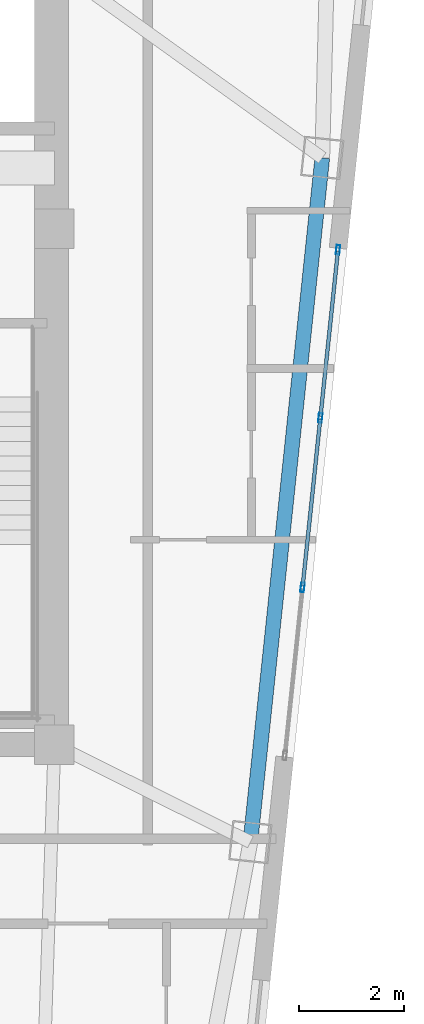
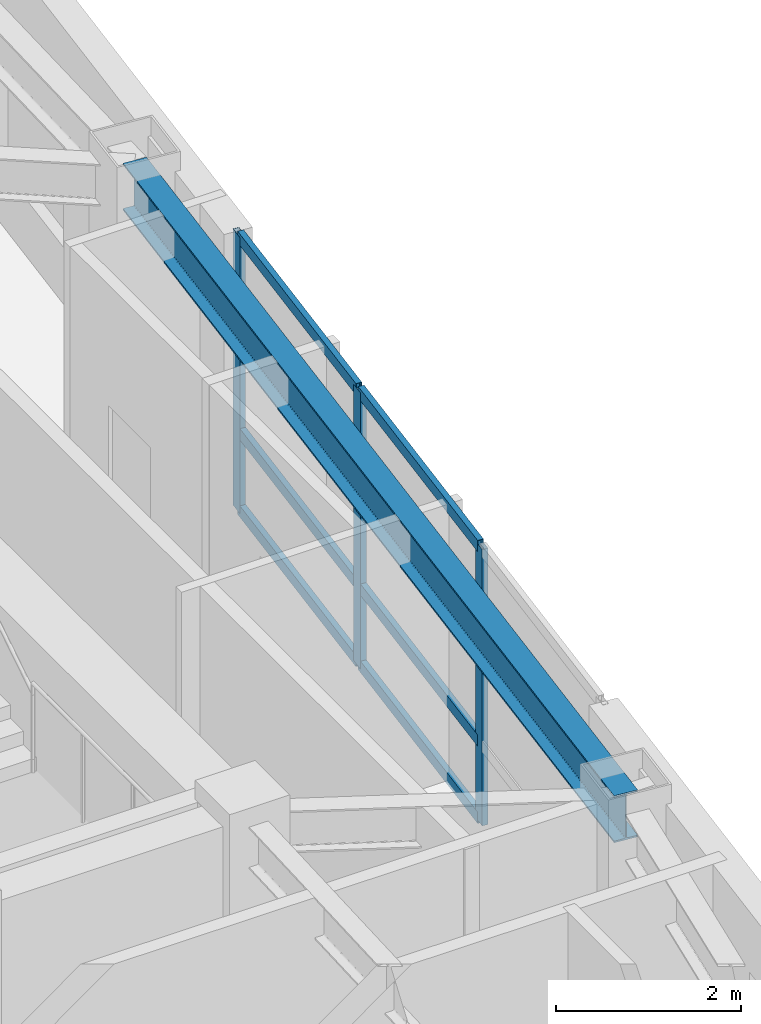
# One storey, part 10 of 23: 9 members, 1 beam, 1 element without a shape of its own.
"""IFC4 building model written with IfcOpenShell, lengths in metres."""

from ifc_helpers import new_model, si_unit, direction, frame, origin, origin_2d, place, context, subcontext, project, spatial, hollow_rectangle, i_section, extrude, material, layer, layer_set, material_profile, profile_set, type_object, element, aggregate, save


model = new_model("IFC4")

# Units and contexts
model_context = context("Model", 3, precision=1e-05, world=origin(), true_north=direction((0.0, 1.0)))
body_context = subcontext(model_context, "Body", "Model", "MODEL_VIEW")
ifc_project = project(units=[si_unit("LENGTHUNIT", "METRE"), si_unit("AREAUNIT", "SQUARE_METRE"), si_unit("VOLUMEUNIT", "CUBIC_METRE"), si_unit("PLANEANGLEUNIT", "RADIAN"), si_unit("MASSUNIT", "GRAM", prefix="KILO")], contexts=[model_context])

# Site, building, storey
site_placement = place(None, origin())
site = spatial("IfcSite", under=ifc_project, at=site_placement, CompositionType="ELEMENT")
building_placement = place(site_placement, origin())
building = spatial("IfcBuilding", under=site, at=building_placement, Name="Voryun Gate Residences", CompositionType="ELEMENT")
storey_placement = place(building_placement, frame((0.0, 0.0, 275.60009765625)))
storey = spatial("IfcBuildingStorey", under=building, at=storey_placement, Name="L68", CompositionType="ELEMENT", Elevation=275.60009765625)

# Beam
ifc_material_1 = material(Name="Steel SM355", Category="steel")
ifc_material_profile_1 = material_profile(ifc_material_1, i_section(OverallWidth=0.280029296875, OverallDepth=0.6201171875, WebThickness=0.013916015625, FlangeThickness=0.02197265625, FilletRadius=0.01806640625, at=origin_2d()), Name="H-620x280x14x22")
ifc_profile_set_1 = profile_set([ifc_material_profile_1], Name="Steel SM355")
beam_type = type_object("IfcBeamType", Name="BM_EXO_SPANDREL_H", PredefinedType="SPANDREL", material=ifc_profile_set_1)
beam_placement = place(storey_placement, frame((22.922607421875, -9.25244140625, 3.33984375), z_axis=(0.104528209082, 0.994521922084, 0.0), x_axis=(-0.994521922084, 0.104528209082, 0.0)))
element("IfcBeam", 1, at=beam_placement, inside=storey, type_object=beam_type, Name="BM-L68-SPAND-08", PredefinedType="SPANDREL", context=body_context, shape_type="SweptSolid", body=[
    extrude(i_section(OverallWidth=0.280029296875, OverallDepth=0.6201171875, WebThickness=0.013916015625, FlangeThickness=0.02197265625, FilletRadius=0.01806640625, at=origin_2d()), origin(), (0.0, 0.0, 1.0), 13.06787109375),
])

# Curtain wall, members
ifc_material_2 = material(Name="Anodised aluminium", Category="aluminium")
ifc_layer = layer(ifc_material_2, 0.18994140625, Name="CW_SYS_RES_B_DARK_GLASS")
ifc_layer_set = layer_set([ifc_layer], Name="Anodised aluminium")
curtain_wall_type = type_object("IfcCurtainWallType", Name="CW_SYS_RES_B_DARK_GLASS", PredefinedType="NOTDEFINED", material=ifc_layer_set)
curtain_wall_placement = place(storey_placement, origin())
curtain_wall = element("IfcCurtainWall", 2, at=curtain_wall_placement, inside=storey, type_object=curtain_wall_type, Name="Curtain wall CWT-L68-16", PredefinedType="NOTDEFINED")
ifc_material_3 = material(Name="Anodised aluminium", Category="aluminium")
ifc_material_profile_2 = material_profile(ifc_material_3, hollow_rectangle(XDim=0.070068359375, YDim=0.179931640625, WallThickness=0.00390625, at=origin_2d()), Name="ALU-MULL-180x70x4")
ifc_profile_set_2 = profile_set([ifc_material_profile_2], Name="Anodised aluminium")
member_type_1 = type_object("IfcMemberType", Name="CW_MULL_RES", PredefinedType="MULLION", material=ifc_profile_set_2)
member_1_placement = place(storey_placement, frame((24.587646484375, 1.99755859375, 0.0), z_axis=(0.0, 0.0, 1.0), x_axis=(0.994521117907, -0.10453586005, 0.0)))
member_1 = element("IfcMember", 3, at=member_1_placement, type_object=member_type_1, Name="CW4 mullion 1", PredefinedType="MULLION", context=body_context, shape_type="SweptSolid", body=[
    extrude(hollow_rectangle(XDim=0.070068359375, YDim=0.179931640625, WallThickness=0.00390625, at=origin_2d()), origin(), (0.0, 0.0, 1.0), 3.64990234375),
])
member_2_placement = place(storey_placement, frame((24.252197265625, -1.19384765625, 0.0), z_axis=(0.0, 0.0, 1.0), x_axis=(0.994521117907, -0.10453586005, 0.0)))
member_2 = element("IfcMember", 4, at=member_2_placement, type_object=member_type_1, Name="CW4 mullion 2", PredefinedType="MULLION", context=body_context, shape_type="SweptSolid", body=[
    extrude(hollow_rectangle(XDim=0.070068359375, YDim=0.179931640625, WallThickness=0.00390625, at=origin_2d()), origin(), (0.0, 0.0, 1.0), 3.64990234375),
])
member_3_placement = place(storey_placement, frame((23.913818359375, -4.415283203125, 0.0), z_axis=(0.0, 0.0, 1.0), x_axis=(0.994521117907, -0.10453586005, 0.0)))
member_3 = element("IfcMember", 5, at=member_3_placement, type_object=member_type_1, Name="CW4 mullion 3", PredefinedType="MULLION", context=body_context, shape_type="SweptSolid", body=[
    extrude(hollow_rectangle(XDim=0.070068359375, YDim=0.179931640625, WallThickness=0.00390625, at=origin_2d()), origin(), (0.0, 0.0, 1.0), 3.64990234375),
])
ifc_material_4 = material(Name="Anodised aluminium", Category="aluminium")
ifc_material_profile_3 = material_profile(ifc_material_4, hollow_rectangle(XDim=0.070068359375, YDim=0.14990234375, WallThickness=0.00390625, at=origin_2d()), Name="ALU-TRAN-150x70x4")
ifc_profile_set_3 = profile_set([ifc_material_profile_3], Name="Anodised aluminium")
member_type_2 = type_object("IfcMemberType", Name="CW_TRAN_RES", PredefinedType="USERDEFINED", material=ifc_profile_set_3)
member_4_placement = place(storey_placement, frame((24.584716796875, 1.9677734375, 0.02978515625), z_axis=(-0.104583892707, -0.994516067938, 0.0), x_axis=(0.994516067938, -0.104583892707, 0.0)))
member_4 = element("IfcMember", 6, at=member_4_placement, type_object=member_type_2, Name="CW4 transom 1.1", ObjectType="TRANSOM", PredefinedType="USERDEFINED", context=body_context, shape_type="SweptSolid", body=[
    extrude(hollow_rectangle(XDim=0.070068359375, YDim=0.14990234375, WallThickness=0.00390625, at=origin_2d()), origin(), (0.0, 0.0, 1.0), 3.149169921875),
])
member_5_placement = place(storey_placement, frame((24.584716796875, 1.9677734375, 1.0498046875), z_axis=(-0.104583892707, -0.994516067938, 0.0), x_axis=(0.994516067938, -0.104583892707, 0.0)))
member_5 = element("IfcMember", 7, at=member_5_placement, type_object=member_type_2, Name="CW4 transom 1.2", ObjectType="TRANSOM", PredefinedType="USERDEFINED", context=body_context, shape_type="SweptSolid", body=[
    extrude(hollow_rectangle(XDim=0.070068359375, YDim=0.14990234375, WallThickness=0.00390625, at=origin_2d()), origin(), (0.0, 0.0, 1.0), 3.149169921875),
])
member_6_placement = place(storey_placement, frame((24.584716796875, 1.9677734375, 3.619873046875), z_axis=(-0.104583892707, -0.994516067938, 0.0), x_axis=(0.994516067938, -0.104583892707, 0.0)))
member_6 = element("IfcMember", 8, at=member_6_placement, type_object=member_type_2, Name="CW4 transom 1.3", ObjectType="TRANSOM", PredefinedType="USERDEFINED", context=body_context, shape_type="SweptSolid", body=[
    extrude(hollow_rectangle(XDim=0.070068359375, YDim=0.14990234375, WallThickness=0.00390625, at=origin_2d()), origin(), (0.0, 0.0, 1.0), 3.149169921875),
])
member_7_placement = place(storey_placement, frame((24.249267578125, -1.2236328125, 0.02978515625), z_axis=(-0.104596836333, -0.994514706693, 0.0), x_axis=(0.994514706693, -0.104596836333, 0.0)))
member_7 = element("IfcMember", 9, at=member_7_placement, type_object=member_type_2, Name="CW4 transom 2.1", ObjectType="TRANSOM", PredefinedType="USERDEFINED", context=body_context, shape_type="SweptSolid", body=[
    extrude(hollow_rectangle(XDim=0.070068359375, YDim=0.14990234375, WallThickness=0.00390625, at=origin_2d()), origin(), (0.0, 0.0, 1.0), 3.178955078125),
])
member_8_placement = place(storey_placement, frame((24.249267578125, -1.2236328125, 1.0498046875), z_axis=(-0.104596836333, -0.994514706693, 0.0), x_axis=(0.994514706693, -0.104596836333, 0.0)))
member_8 = element("IfcMember", 10, at=member_8_placement, type_object=member_type_2, Name="CW4 transom 2.2", ObjectType="TRANSOM", PredefinedType="USERDEFINED", context=body_context, shape_type="SweptSolid", body=[
    extrude(hollow_rectangle(XDim=0.070068359375, YDim=0.14990234375, WallThickness=0.00390625, at=origin_2d()), origin(), (0.0, 0.0, 1.0), 3.178955078125),
])
member_9_placement = place(storey_placement, frame((24.249267578125, -1.2236328125, 3.619873046875), z_axis=(-0.104596836333, -0.994514706693, 0.0), x_axis=(0.994514706693, -0.104596836333, 0.0)))
member_9 = element("IfcMember", 11, at=member_9_placement, type_object=member_type_2, Name="CW4 transom 2.3", ObjectType="TRANSOM", PredefinedType="USERDEFINED", context=body_context, shape_type="SweptSolid", body=[
    extrude(hollow_rectangle(XDim=0.070068359375, YDim=0.14990234375, WallThickness=0.00390625, at=origin_2d()), origin(), (0.0, 0.0, 1.0), 3.178955078125),
])
aggregate(curtain_wall, [member_1, member_2, member_3, member_4, member_5, member_6, member_7, member_8, member_9])

save(model, "model.ifc")
